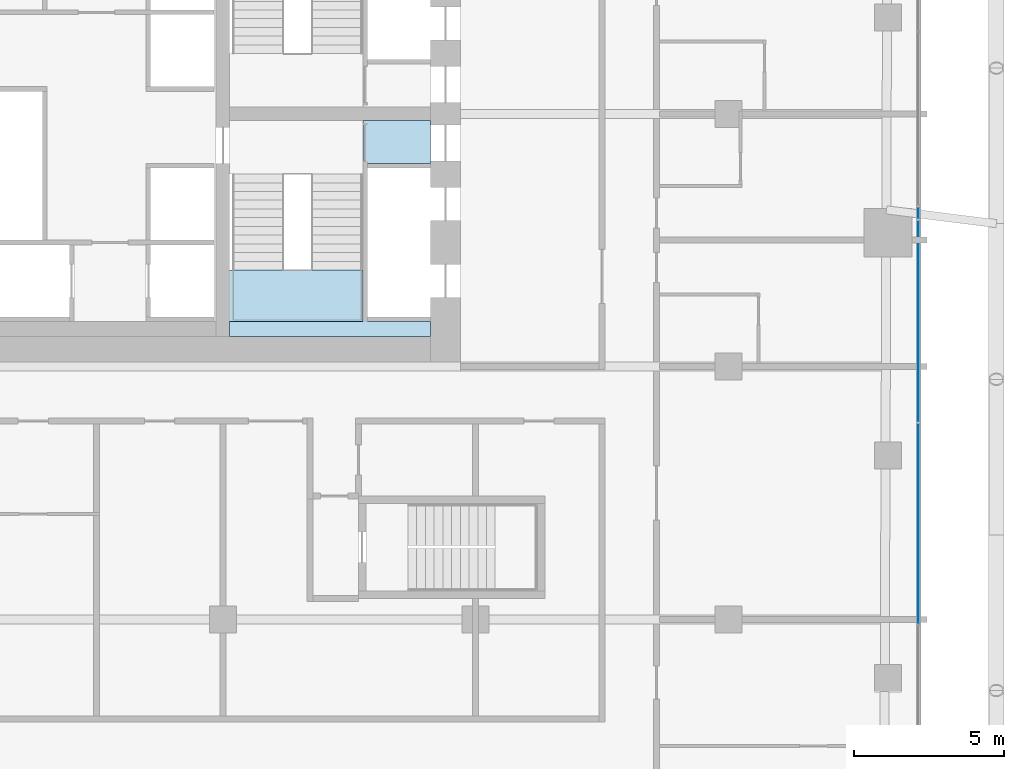
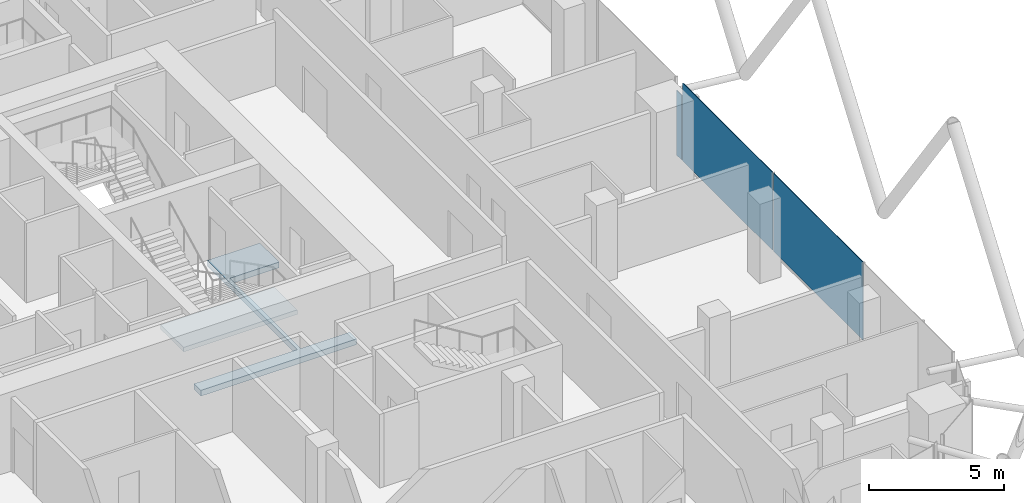
# One storey, part 23 of 36: 3 plates, 2 slabs, 3 elements without a shape of their own.
"""IFC4 building model written with IfcOpenShell, lengths in metres."""

from ifc_helpers import new_model, si_unit, direction, frame, origin, origin_2d, place, context, subcontext, project, spatial, polyline, rectangle, outline, extrude, material, layer, layer_set, type_object, element, aggregate, save


model = new_model("IFC4")

# Units and contexts
model_context = context("Model", 3, precision=1e-05, world=origin(), true_north=direction((0.0, 1.0)))
body_context = subcontext(model_context, "Body", "Model", "MODEL_VIEW")
ifc_project = project(units=[si_unit("LENGTHUNIT", "METRE"), si_unit("AREAUNIT", "SQUARE_METRE"), si_unit("VOLUMEUNIT", "CUBIC_METRE"), si_unit("PLANEANGLEUNIT", "RADIAN"), si_unit("MASSUNIT", "GRAM", prefix="KILO")], contexts=[model_context])

# Site, building, storey
site_placement = place(None, origin())
site = spatial("IfcSite", under=ifc_project, at=site_placement, CompositionType="ELEMENT")
building_placement = place(site_placement, origin())
building = spatial("IfcBuilding", under=site, at=building_placement, Name="Marenta Gate Hotel Tower", CompositionType="ELEMENT")
storey_placement = place(building_placement, frame((0.0, 0.0, 115.699951171875)))
storey = spatial("IfcBuildingStorey", under=building, at=storey_placement, Name="L25", CompositionType="ELEMENT", Elevation=115.699951171875)

# Slab
ifc_material_1 = material(Name="Concrete C40", Category="concrete")
ifc_layer_1 = layer(ifc_material_1, 0.260009765625)
ifc_layer_set_1 = layer_set([ifc_layer_1], Name="Concrete C40")
slab_type_1 = type_object("IfcSlabType", Name="Core floor slab 260", PredefinedType="FLOOR", material=ifc_layer_set_1)
slab_1_placement = place(storey_placement, frame((0.0, 0.0, -0.260009765625)))
element("IfcSlab", 1, at=slab_1_placement, inside=storey, type_object=slab_type_1, Name="L25-CF-2", PredefinedType="FLOOR", context=body_context, shape_type="SweptSolid", body=[
    extrude(outline(polyline([(8.85009765625, 1.5), (8.85009765625, 6.39990234375), (8.85009765625, 8.10009765625), (8.85009765625, 8.175048828125), (11.10009765625, 8.175048828125), (11.10009765625, 6.75), (9.0, 6.75), (9.0, 6.60009765625), (9.0, 4.199951171875), (9.0, 4.050048828125), (9.0, 1.64990234375), (9.0, 1.5), (11.10009765625, 1.5), (11.10009765625, 1.0), (4.425048828125, 1.0), (4.425048828125, 1.5), (8.85009765625, 1.5)])), origin(), (0.0, 0.0, 1.0), 0.260009765625),
])

# Stair, slab
ifc_material_2 = material(Name="Concrete C40", Category="concrete")
stair_type = type_object("IfcStairType", Name="Core exit stair 1700 wide", PredefinedType="HALF_TURN_STAIR", material=ifc_material_2)
stair_placement = place(storey_placement, origin())
stair = element("IfcStair", 2, at=stair_placement, inside=storey, type_object=stair_type, Name="Exit stair 3", PredefinedType="HALF_TURN_STAIR")
ifc_material_3 = material(Name="Concrete C40", Category="concrete")
ifc_layer_2 = layer(ifc_material_3, 0.199951171875)
ifc_layer_set_2 = layer_set([ifc_layer_2], Name="Concrete C40")
slab_type_2 = type_object("IfcSlabType", Name="Core stair landing 200", PredefinedType="LANDING", material=ifc_layer_set_2)
slab_2_placement = place(storey_placement, frame((0.0, 0.0, 1.60009765625)))
slab_2 = element("IfcSlab", 3, at=slab_2_placement, type_object=slab_type_2, Name="SL-200 ST3 landing 1", PredefinedType="LANDING", context=body_context, shape_type="SweptSolid", body=[
    extrude(outline(polyline([(3.97509765625, 1.5), (8.85009765625, 1.5), (8.85009765625, 3.2099609375), (3.97509765625, 3.2099609375), (3.97509765625, 1.5)])), origin(), (0.0, 0.0, 1.0), 0.199951171875),
])
aggregate(stair, [slab_2])

# Curtain wall, plates
ifc_material_4 = material(Name="Tinted insulated glass in bronze anodised frame", Category="glass")
ifc_layer_3 = layer(ifc_material_4, 0.1201171875)
ifc_layer_set_3 = layer_set([ifc_layer_3], Name="Tinted insulated glass in bronze anodised frame")
curtain_wall_type = type_object("IfcCurtainWallType", Name="Tower unitised curtain wall CW1", PredefinedType="NOTDEFINED", material=ifc_layer_set_3)
curtain_wall_1_placement = place(storey_placement, origin())
curtain_wall_1 = element("IfcCurtainWall", 4, at=curtain_wall_1_placement, inside=storey, type_object=curtain_wall_type, Name="CW1 run G33", PredefinedType="NOTDEFINED")
ifc_material_5 = material(Name="Tinted insulated glass", Category="glass")
ifc_layer_4 = layer(ifc_material_5, 0.028076171875)
ifc_layer_set_4 = layer_set([ifc_layer_4], Name="Tinted insulated glass")
plate_type = type_object("IfcPlateType", Name="Glass panel CW1 28 mm tinted insulated unit", PredefinedType="CURTAIN_PANEL", material=ifc_layer_set_4)
plate_1_placement = place(storey_placement, frame((27.31396484375, -5.2138671875, 0.06005859375), z_axis=(0.0, 0.0, 1.0), x_axis=(0.0, 1.0, 0.0)))
plate_1 = element("IfcPlate", 5, at=plate_1_placement, type_object=plate_type, Name="CW1 panel 2.1", PredefinedType="CURTAIN_PANEL", context=body_context, shape_type="SweptSolid", body=[
    extrude(rectangle(XDim=6.647216796875, YDim=0.028076171875, at=origin_2d()), origin(), (0.0, 0.0, 1.0), 3.5400390625),
])
plate_2_placement = place(storey_placement, frame((27.31396484375, 1.50830078125, 0.06005859375), z_axis=(0.0, 0.0, 1.0), x_axis=(0.0, 1.0, 0.0)))
plate_2 = element("IfcPlate", 6, at=plate_2_placement, type_object=plate_type, Name="CW1 panel 3.1", PredefinedType="CURTAIN_PANEL", context=body_context, shape_type="SweptSolid", body=[
    extrude(rectangle(XDim=6.67724609375, YDim=0.028076171875, at=origin_2d()), origin(), (0.0, 0.0, 1.0), 3.5400390625),
])
aggregate(curtain_wall_1, [plate_1, plate_2])

# Curtain wall, plate
curtain_wall_2_placement = place(storey_placement, origin())
curtain_wall_2 = element("IfcCurtainWall", 7, at=curtain_wall_2_placement, inside=storey, type_object=curtain_wall_type, Name="CW1 run G34", PredefinedType="NOTDEFINED")
plate_3_placement = place(storey_placement, frame((27.31396484375, 5.10546875, 0.06005859375), z_axis=(0.0, 0.0, 1.0), x_axis=(0.0, 1.0, 0.0)))
plate_3 = element("IfcPlate", 8, at=plate_3_placement, type_object=plate_type, Name="CW1 panel 1.1", PredefinedType="CURTAIN_PANEL", context=body_context, shape_type="SweptSolid", body=[
    extrude(rectangle(XDim=0.396484375, YDim=0.028076171875, at=origin_2d()), origin(), (0.0, 0.0, 1.0), 2.9404296875),
])
aggregate(curtain_wall_2, [plate_3])

save(model, "model.ifc")
